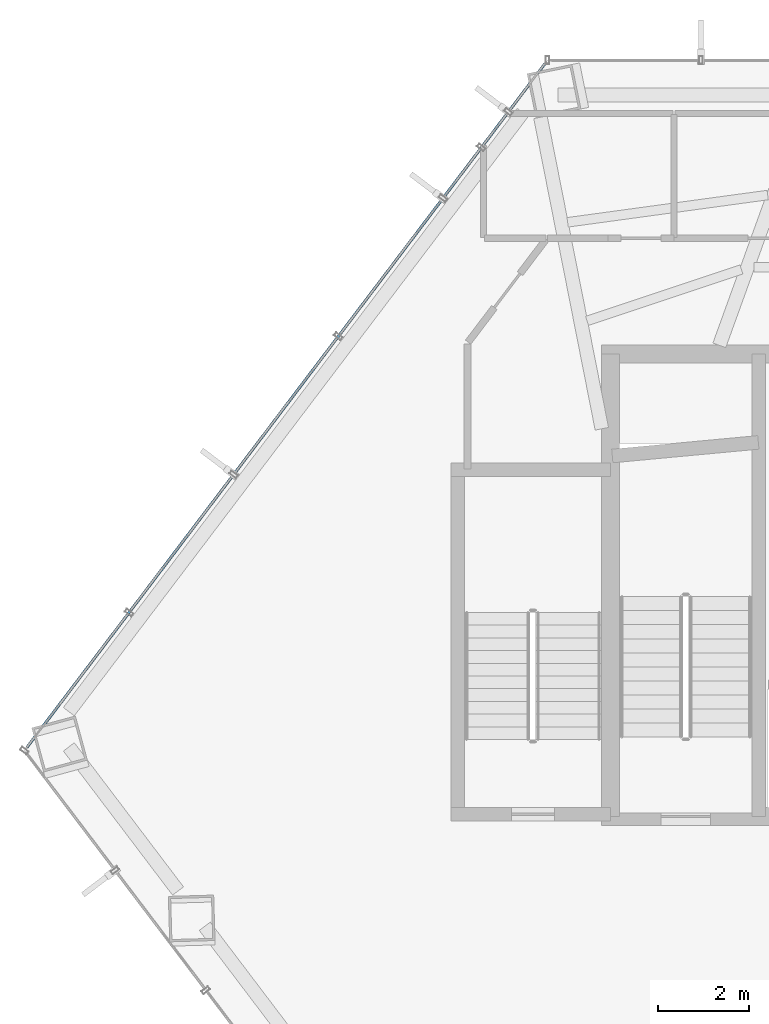
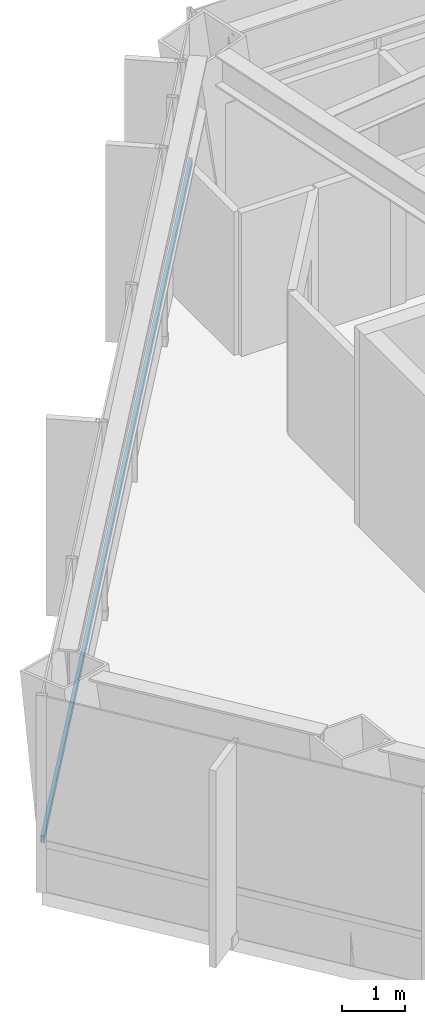
# One storey, part 12 of 26: 1 member, 1 element without a shape of its own.
"""IFC4 building model written with IfcOpenShell, lengths in metres."""

from ifc_helpers import new_model, si_unit, direction, frame, origin, origin_2d, place, context, subcontext, project, spatial, hollow_rectangle, extrude, material, layer, layer_set, material_profile, profile_set, type_object, element, aggregate, save


model = new_model("IFC4")

# Units and contexts
model_context = context("Model", 3, precision=1e-05, world=origin(), true_north=direction((0.0, 1.0)))
body_context = subcontext(model_context, "Body", "Model", "MODEL_VIEW")
ifc_project = project(units=[si_unit("LENGTHUNIT", "METRE"), si_unit("AREAUNIT", "SQUARE_METRE"), si_unit("VOLUMEUNIT", "CUBIC_METRE"), si_unit("PLANEANGLEUNIT", "RADIAN"), si_unit("MASSUNIT", "GRAM", prefix="KILO")], contexts=[model_context])

# Site, building, storey
site_placement = place(None, origin())
site = spatial("IfcSite", under=ifc_project, at=site_placement, CompositionType="ELEMENT")
building_placement = place(site_placement, origin())
building = spatial("IfcBuilding", under=site, at=building_placement, Name="Zarrinselat Tower", CompositionType="ELEMENT")
storey_placement = place(building_placement, frame((0.0, 0.0, 60.179931640625)))
storey = spatial("IfcBuildingStorey", under=building, at=storey_placement, Name="L14", CompositionType="ELEMENT", Elevation=60.179931640625)

# Curtain wall, member
ifc_material_1 = material(Name="Extruded Aluminium Alloy EN AW-6063 T6", Category="aluminium")
ifc_layer = layer(ifc_material_1, 0.18505859375)
ifc_layer_set = layer_set([ifc_layer], Name="Extruded Aluminium Alloy EN AW-6063 T6")
curtain_wall_type = type_object("IfcCurtainWallType", Name="CWS-OFF", PredefinedType="NOTDEFINED", material=ifc_layer_set)
curtain_wall_placement = place(storey_placement, origin())
curtain_wall = element("IfcCurtainWall", 1, at=curtain_wall_placement, inside=storey, type_object=curtain_wall_type, Name="L14 Unitised Curtain Wall CW-L14-E02", PredefinedType="NOTDEFINED")
ifc_material_2 = material(Name="Extruded Aluminium Alloy EN AW-6063 T6", Category="aluminium")
ifc_material_profile = material_profile(ifc_material_2, hollow_rectangle(XDim=0.06005859375, YDim=0.139892578125, WallThickness=0.00390625, at=origin_2d()), Name="RHS 140x60x4")
ifc_profile_set = profile_set([ifc_material_profile], Name="Extruded Aluminium Alloy EN AW-6063 T6")
member_type = type_object("IfcMemberType", Name="MEM-CW-TRN", PredefinedType="USERDEFINED", material=ifc_profile_set)
member_placement = place(storey_placement, frame((27.1572265625, 49.856201171875, 0.949951171875), z_axis=(-0.603859675342, -0.797090642585, 0.0), x_axis=(0.797090642585, -0.603859675342, 0.0)))
member = element("IfcMember", 2, at=member_placement, type_object=member_type, Name="CW-L14-E02 Transom 1", ObjectType="TRANSOM", PredefinedType="USERDEFINED", context=body_context, shape_type="SweptSolid", body=[
    extrude(hollow_rectangle(XDim=0.06005859375, YDim=0.139892578125, WallThickness=0.00390625, at=origin_2d()), origin(), (0.0, 0.0, 1.0), 18.921630859375),
])
aggregate(curtain_wall, [member])

save(model, "model.ifc")
